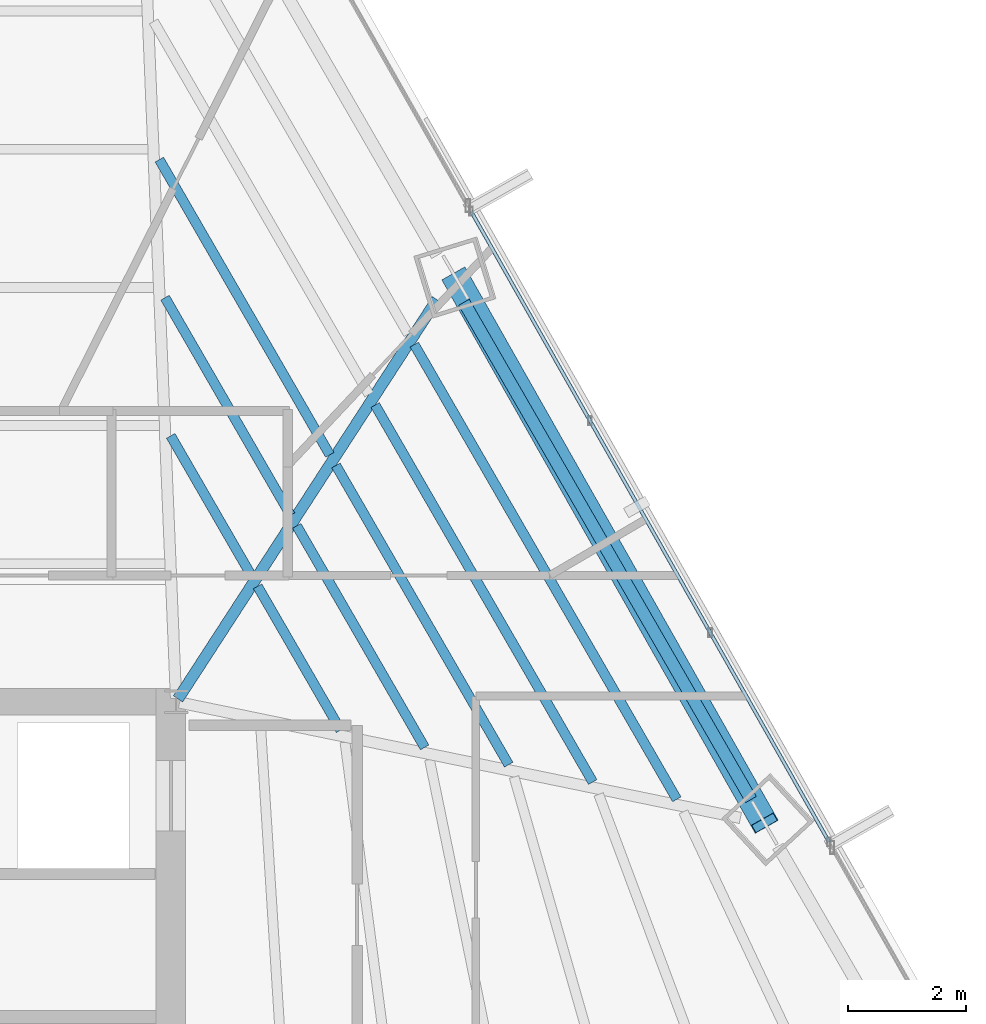
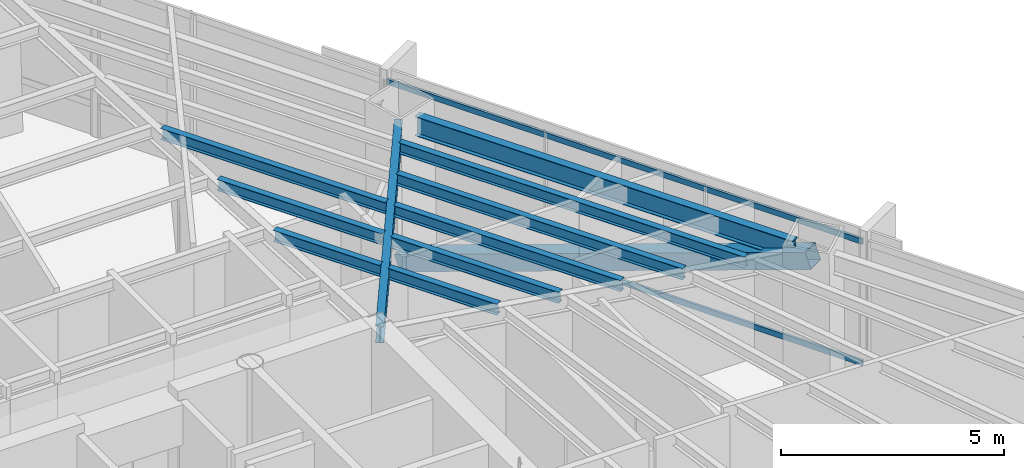
# One storey, part 21 of 37: 10 beams, 3 members, 1 element without a shape of its own.
"""IFC4 building model written with IfcOpenShell, lengths in metres."""

from ifc_helpers import new_model, si_unit, direction, frame, origin, origin_2d, place, context, subcontext, project, spatial, hollow_rectangle, i_section, extrude, source, transform, mapped, material, material_profile, profile_set, type_object, type_shapes, element, aggregate, save


model = new_model("IFC4")

# Units and contexts
model_context = context("Model", 3, precision=1e-05, world=origin(), true_north=direction((0.0, 1.0)))
body_context = subcontext(model_context, "Body", "Model", "MODEL_VIEW")
ifc_project = project(units=[si_unit("LENGTHUNIT", "METRE"), si_unit("AREAUNIT", "SQUARE_METRE"), si_unit("VOLUMEUNIT", "CUBIC_METRE"), si_unit("PLANEANGLEUNIT", "RADIAN"), si_unit("MASSUNIT", "GRAM", prefix="KILO")], contexts=[model_context])

# Site, building, storey
site_placement = place(None, origin())
site = spatial("IfcSite", under=ifc_project, at=site_placement, CompositionType="ELEMENT")
building_placement = place(site_placement, origin())
building = spatial("IfcBuilding", under=site, at=building_placement, Name="Caelisora Broadcast Tower", CompositionType="ELEMENT")
storey_placement = place(building_placement, frame((0.0, 0.0, 127.300048828125)))
storey = spatial("IfcBuildingStorey", under=building, at=storey_placement, Name="L33", CompositionType="ELEMENT", Elevation=127.300048828125)

# Beams
ifc_material_1 = material(Name="Steel Grade 350 (AS/NZS 3679.1)", Category="steel")
ifc_material_profile_1 = material_profile(ifc_material_1, i_section(OverallWidth=0.208984375, OverallDepth=0.532958984375, WebThickness=0.01025390625, FlangeThickness=0.015625, at=origin_2d()), Name="Steel Grade 350 (AS/NZS 3679.1)")
ifc_profile_set_1 = profile_set([ifc_material_profile_1], Name="Steel Grade 350 (AS/NZS 3679.1)")
beam_type_1 = type_object("IfcBeamType", Name="PG05", PredefinedType="BEAM", material=ifc_profile_set_1)
shared_shape_1 = source(origin(), body_context, "Body", "SweptSolid", [
    extrude(i_section(OverallWidth=0.208984375, OverallDepth=0.532958984375, WebThickness=0.01025390625, FlangeThickness=0.015625, at=origin_2d()), origin(), (0.0, 0.0, 1.0), 9.7705078125),
])
type_shapes(beam_type_1, [shared_shape_1])
beam_1_placement = place(storey_placement, frame((55.282958984375, 28.33740234375, 3.9833984375), z_axis=(-0.500003642646, 0.866023300691, 0.0), x_axis=(-0.866023300691, -0.500003642646, 0.0)))
element("IfcBeam", 1, at=beam_1_placement, inside=storey, type_object=beam_type_1, Name="L33 beam PG05", PredefinedType="BEAM", context=body_context, shape_type="MappedRepresentation", body=[
    mapped(shared_shape_1, transform((0.0, 0.0, 0.0), scale=1.0)),
])
ifc_material_profile_2 = material_profile(ifc_material_1, i_section(OverallWidth=0.19091796875, OverallDepth=0.46044921875, WebThickness=0.010009765625, FlangeThickness=0.01611328125, at=origin_2d()), Name="Steel Grade 350 (AS/NZS 3679.1)")
ifc_profile_set_2 = profile_set([ifc_material_profile_2], Name="Steel Grade 350 (AS/NZS 3679.1)")
beam_type_2 = type_object("IfcBeamType", Name="PG06", PredefinedType="BEAM", material=ifc_profile_set_2)
shared_shape_2 = source(origin(), body_context, "Body", "SweptSolid", [
    extrude(i_section(OverallWidth=0.19091796875, OverallDepth=0.46044921875, WebThickness=0.010009765625, FlangeThickness=0.01611328125, at=origin_2d()), origin(), (0.0, 0.0, 1.0), 8.09814453125),
])
type_shapes(beam_type_2, [shared_shape_2])
beam_2_placement = place(storey_placement, frame((45.53271484375, 30.05029296875, 4.019775390625), z_axis=(0.544129739424, 0.839001088601, 0.0), x_axis=(-0.839001088601, 0.544129739424, 0.0)))
element("IfcBeam", 2, at=beam_2_placement, inside=storey, type_object=beam_type_2, Name="L33 beam PG06", PredefinedType="BEAM", context=body_context, shape_type="MappedRepresentation", body=[
    mapped(shared_shape_2, transform((0.0, 0.0, 0.0), scale=1.0)),
])
ifc_material_profile_3 = material_profile(ifc_material_1, i_section(OverallWidth=0.166015625, OverallDepth=0.30712890625, WebThickness=0.006591796875, FlangeThickness=0.01171875, at=origin_2d()), Name="Steel Grade 350 (AS/NZS 3679.1)")
ifc_profile_set_3 = profile_set([ifc_material_profile_3], Name="Steel Grade 350 (AS/NZS 3679.1)")
beam_type_3 = type_object("IfcBeamType", Name="SB03", PredefinedType="JOIST", material=ifc_profile_set_3)
shared_shape_3 = source(origin(), body_context, "Body", "SweptSolid", [
    extrude(i_section(OverallWidth=0.166015625, OverallDepth=0.30712890625, WebThickness=0.006591796875, FlangeThickness=0.01171875, at=origin_2d()), origin(), (0.0, 0.0, 1.0), 2.74755859375),
])
beam_3_placement = place(storey_placement, frame((46.781494140625, 32.146484375, 4.096435546875), z_axis=(-0.500009615167, 0.866019852394, 0.0), x_axis=(-0.866019852394, -0.500009615167, 0.0)))
element("IfcBeam", 3, at=beam_3_placement, inside=storey, type_object=beam_type_3, Name="L33 beam SB03", PredefinedType="JOIST", context=body_context, shape_type="MappedRepresentation", body=[
    mapped(shared_shape_3, transform((0.0, 0.0, 0.0), scale=1.0)),
])
shared_shape_4 = source(origin(), body_context, "Body", "SweptSolid", [
    extrude(i_section(OverallWidth=0.166015625, OverallDepth=0.30712890625, WebThickness=0.006591796875, FlangeThickness=0.01171875, at=origin_2d()), origin(), (0.0, 0.0, 1.0), 4.274658203125),
])
beam_4_placement = place(storey_placement, frame((47.4482421875, 33.1748046875, 4.096435546875), z_axis=(-0.499984487562, 0.86603435971, 0.0), x_axis=(-0.86603435971, -0.499984487562, 0.0)))
element("IfcBeam", 4, at=beam_4_placement, inside=storey, type_object=beam_type_3, Name="L33 beam SB03", PredefinedType="JOIST", context=body_context, shape_type="MappedRepresentation", body=[
    mapped(shared_shape_4, transform((0.0, 0.0, 0.0), scale=1.0)),
])
shared_shape_5 = source(origin(), body_context, "Body", "SweptSolid", [
    extrude(i_section(OverallWidth=0.166015625, OverallDepth=0.30712890625, WebThickness=0.006591796875, FlangeThickness=0.01171875, at=origin_2d()), origin(), (0.0, 0.0, 1.0), 5.802001953125),
])
beam_5_placement = place(storey_placement, frame((48.115234375, 34.202880859375, 4.096435546875), z_axis=(-0.500017486934, 0.866015307463, 0.0), x_axis=(-0.866015307463, -0.500017486934, 0.0)))
element("IfcBeam", 5, at=beam_5_placement, inside=storey, type_object=beam_type_3, Name="L33 beam SB03", PredefinedType="JOIST", context=body_context, shape_type="MappedRepresentation", body=[
    mapped(shared_shape_5, transform((0.0, 0.0, 0.0), scale=1.0)),
])
shared_shape_6 = source(origin(), body_context, "Body", "SweptSolid", [
    extrude(i_section(OverallWidth=0.166015625, OverallDepth=0.30712890625, WebThickness=0.006591796875, FlangeThickness=0.01171875, at=origin_2d()), origin(), (0.0, 0.0, 1.0), 2.8251953125),
])
beam_6_placement = place(storey_placement, frame((48.29833984375, 29.519287109375, 4.096435546875), z_axis=(-0.49998675294, 0.866033051843, 0.0), x_axis=(-0.866033051843, -0.49998675294, 0.0)))
element("IfcBeam", 6, at=beam_6_placement, inside=storey, type_object=beam_type_3, Name="L33 beam SB03", PredefinedType="JOIST", context=body_context, shape_type="MappedRepresentation", body=[
    mapped(shared_shape_6, transform((0.0, 0.0, 0.0), scale=1.0)),
])
shared_shape_7 = source(origin(), body_context, "Body", "SweptSolid", [
    extrude(i_section(OverallWidth=0.166015625, OverallDepth=0.30712890625, WebThickness=0.006591796875, FlangeThickness=0.01171875, at=origin_2d()), origin(), (0.0, 0.0, 1.0), 4.3525390625),
])
beam_7_placement = place(storey_placement, frame((49.728759765625, 29.224853515625, 4.096435546875), z_axis=(-0.499987877897, 0.866032402371, 0.0), x_axis=(-0.866032402371, -0.499987877897, 0.0)))
element("IfcBeam", 7, at=beam_7_placement, inside=storey, type_object=beam_type_3, Name="L33 beam SB03", PredefinedType="JOIST", context=body_context, shape_type="MappedRepresentation", body=[
    mapped(shared_shape_7, transform((0.0, 0.0, 0.0), scale=1.0)),
])
shared_shape_8 = source(origin(), body_context, "Body", "SweptSolid", [
    extrude(i_section(OverallWidth=0.166015625, OverallDepth=0.30712890625, WebThickness=0.006591796875, FlangeThickness=0.01171875, at=origin_2d()), origin(), (0.0, 0.0, 1.0), 5.879638671875),
])
beam_8_placement = place(storey_placement, frame((51.1591796875, 28.930419921875, 4.096435546875), z_axis=(-0.499975255428, 0.866039689599, 0.0), x_axis=(-0.866039689599, -0.499975255428, 0.0)))
element("IfcBeam", 8, at=beam_8_placement, inside=storey, type_object=beam_type_3, Name="L33 beam SB03", PredefinedType="JOIST", context=body_context, shape_type="MappedRepresentation", body=[
    mapped(shared_shape_8, transform((0.0, 0.0, 0.0), scale=1.0)),
])
shared_shape_9 = source(origin(), body_context, "Body", "SweptSolid", [
    extrude(i_section(OverallWidth=0.166015625, OverallDepth=0.30712890625, WebThickness=0.006591796875, FlangeThickness=0.01171875, at=origin_2d()), origin(), (0.0, 0.0, 1.0), 7.40673828125),
])
beam_9_placement = place(storey_placement, frame((52.589599609375, 28.635986328125, 4.096435546875), z_axis=(-0.499992559605, 0.866029699456, 0.0), x_axis=(-0.866029699456, -0.499992559605, 0.0)))
element("IfcBeam", 9, at=beam_9_placement, inside=storey, type_object=beam_type_3, Name="L33 beam SB03", PredefinedType="JOIST", context=body_context, shape_type="MappedRepresentation", body=[
    mapped(shared_shape_9, transform((0.0, 0.0, 0.0), scale=1.0)),
])
shared_shape_10 = source(origin(), body_context, "Body", "SweptSolid", [
    extrude(i_section(OverallWidth=0.166015625, OverallDepth=0.30712890625, WebThickness=0.006591796875, FlangeThickness=0.01171875, at=origin_2d()), origin(), (0.0, 0.0, 1.0), 8.934326171875),
])
type_shapes(beam_type_3, [shared_shape_3, shared_shape_4, shared_shape_5, shared_shape_6, shared_shape_7, shared_shape_8, shared_shape_9, shared_shape_10])
beam_10_placement = place(storey_placement, frame((54.02001953125, 28.34130859375, 4.096435546875), z_axis=(-0.499980282632, 0.866036787313, 0.0), x_axis=(-0.866036787313, -0.499980282632, 0.0)))
element("IfcBeam", 10, at=beam_10_placement, inside=storey, type_object=beam_type_3, Name="L33 beam SB03", PredefinedType="JOIST", context=body_context, shape_type="MappedRepresentation", body=[
    mapped(shared_shape_10, transform((0.0, 0.0, 0.0), scale=1.0)),
])

# Member
ifc_material_2 = material(Name="Steel Grade 450 (AS/NZS 1163 C450L0)", Category="steel")
ifc_material_profile_4 = material_profile(ifc_material_2, hollow_rectangle(XDim=0.449951171875, YDim=0.449951171875, WallThickness=0.01611328125, at=origin_2d()), Name="Steel Grade 450 (AS/NZS 1163 C450L0)")
ifc_profile_set_4 = profile_set([ifc_material_profile_4], Name="Steel Grade 450 (AS/NZS 1163 C450L0)")
member_type_1 = type_object("IfcMemberType", Name="BR03", PredefinedType="BRACE", material=ifc_profile_set_4)
shared_shape_11 = source(origin(), body_context, "Body", "SweptSolid", [
    extrude(hollow_rectangle(XDim=0.449951171875, YDim=0.449951171875, WallThickness=0.01611328125, at=origin_2d()), origin(), (0.0, 0.0, 1.0), 11.343994140625),
])
type_shapes(member_type_1, [shared_shape_11])
member_1_placement = place(storey_placement, frame((55.512939453125, 27.93896484375, 3.949951171875), z_axis=(-0.463513167303, 0.818513849602, -0.339397439215), x_axis=(-0.87016412377, -0.492762009193, 0.0)))
element("IfcMember", 11, at=member_1_placement, inside=storey, type_object=member_type_1, Name="L33 perimeter brace BR03", PredefinedType="BRACE", context=body_context, shape_type="MappedRepresentation", body=[
    mapped(shared_shape_11, transform((0.0, 0.0, 0.0), scale=1.0)),
])

# Curtain wall, members
ifc_material_3 = material(Name="Unitised Aluminium Insulated Shadow-Box Spandrel Curtain Wall", Category="aluminium")
curtain_wall_type = type_object("IfcCurtainWallType", Name="CW-SP2", PredefinedType="NOTDEFINED", material=ifc_material_3)
curtain_wall_placement = place(storey_placement, origin())
curtain_wall = element("IfcCurtainWall", 12, at=curtain_wall_placement, inside=storey, type_object=curtain_wall_type, Name="L33 curtain wall CW-SP2", PredefinedType="NOTDEFINED")
ifc_material_4 = material(Name="Aluminium 6063-T6 Anodised Terracotta Bronze", Category="aluminium")
ifc_material_profile_5 = material_profile(ifc_material_4, hollow_rectangle(XDim=0.06005859375, YDim=0.14990234375, WallThickness=0.00341796875, at=origin_2d()), Name="Aluminium 6063-T6 Anodised Terracotta Bronze")
ifc_profile_set_5 = profile_set([ifc_material_profile_5], Name="Aluminium 6063-T6 Anodised Terracotta Bronze")
member_type_2 = type_object("IfcMemberType", Name="CWT-02", PredefinedType="USERDEFINED", material=ifc_profile_set_5)
shared_shape_12 = source(origin(), body_context, "Body", "SweptSolid", [
    extrude(hollow_rectangle(XDim=0.06005859375, YDim=0.14990234375, WallThickness=0.00341796875, at=origin_2d()), origin(), (0.0, 0.0, 1.0), 12.33984375),
])
type_shapes(member_type_2, [shared_shape_12])
member_2_placement = place(storey_placement, frame((50.519775390625, 38.34619140625, 0.849853515625), z_axis=(0.493688831754, -0.869638624603, 0.0), x_axis=(0.869638624603, 0.493688831754, 0.0)))
member_2 = element("IfcMember", 13, at=member_2_placement, type_object=member_type_2, Name="L33-CW-B02 transom #1", ObjectType="TRANSOM", PredefinedType="USERDEFINED", context=body_context, shape_type="MappedRepresentation", body=[
    mapped(shared_shape_12, transform((0.0, 0.0, 0.0), scale=1.0)),
])
member_3_placement = place(storey_placement, frame((50.519775390625, 38.34619140625, 4.169921875), z_axis=(0.493688831754, -0.869638624603, 0.0), x_axis=(0.869638624603, 0.493688831754, 0.0)))
member_3 = element("IfcMember", 14, at=member_3_placement, type_object=member_type_2, Name="L33-CW-B02 transom #2", ObjectType="TRANSOM", PredefinedType="USERDEFINED", context=body_context, shape_type="MappedRepresentation", body=[
    mapped(shared_shape_12, transform((0.0, 0.0, 0.0), scale=1.0)),
])
aggregate(curtain_wall, [member_2, member_3])

save(model, "model.ifc")
